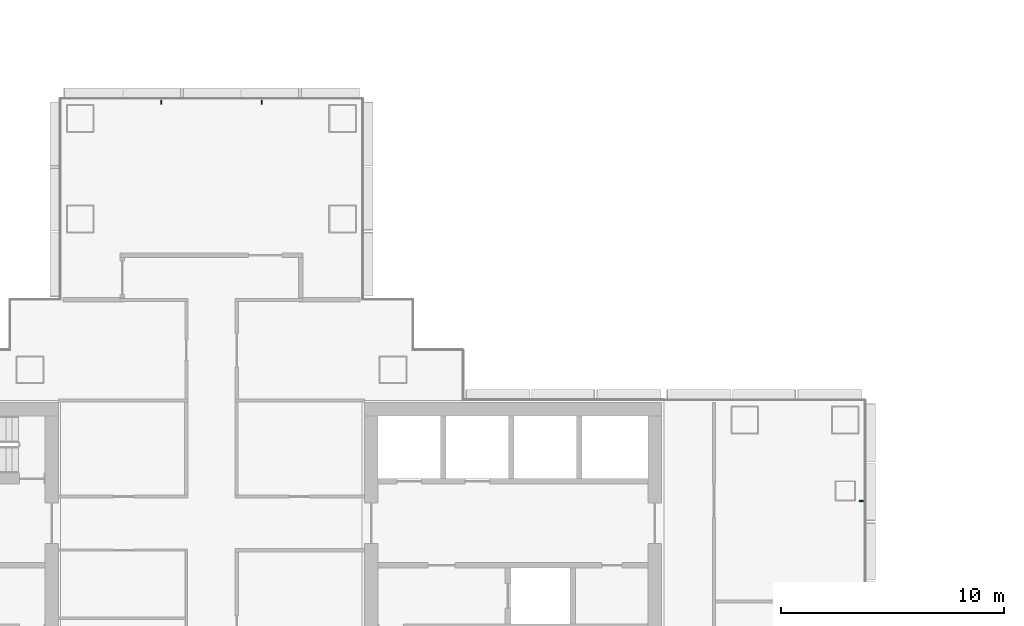
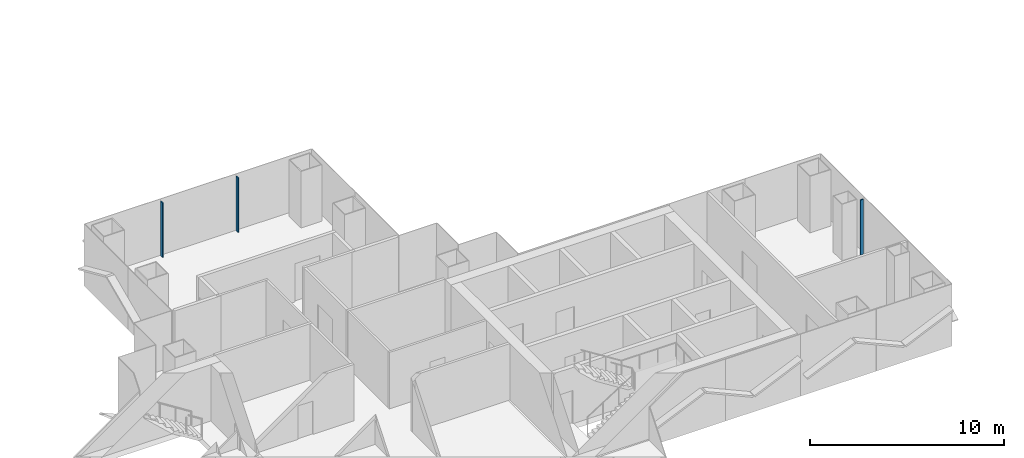
# One storey, part 4 of 19: 3 members, 2 elements without a shape of their own.
"""IFC4 building model written with IfcOpenShell, lengths in metres."""

import ifcopenshell
import ifcopenshell.guid

model = None  # the IFC model being written
_history = None  # IfcOwnerHistory: only IFC2X3 demands one
_inside = {}  # id of a spatial element -> (the spatial element, [elements in it])
_under = {}  # id of a project, library or spatial element -> (it, [spatial elements below it])
_declared = {}  # id of a project -> (the project, [libraries it declares])
_typed = {}  # id of a type object -> (the type object, [elements of that type])
_made_of = {}  # id of a material, layer set ... -> (it, [elements and type objects made of it])


def new_model(schema):
    """Start an empty IFC model of exactly this schema.

    Asked for "IFC4X3", IfcOpenShell would pick the latest addendum, in which some entities
    have other attributes; the version numbers below select the first issue.
    IFC2X3 requires an IfcOwnerHistory on every rooted entity: one is made here for all.
    """
    global model, _history
    if schema == "IFC4X3":
        model = ifcopenshell.file(schema_version=(4, 3, 0, 0))
    else:
        model = ifcopenshell.file(schema=schema)
    _inside.clear()
    _under.clear()
    _declared.clear()
    _typed.clear()
    _made_of.clear()
    _history = None
    if model.schema == "IFC2X3":
        org = make("IfcOrganization", Name="unknown")
        user = make(
            "IfcPersonAndOrganization",
            ThePerson=make("IfcPerson", FamilyName="unknown"),
            TheOrganization=org,
        )
        app = make(
            "IfcApplication",
            ApplicationDeveloper=org,
            Version="unknown",
            ApplicationFullName="unknown",
            ApplicationIdentifier="unknown",
        )
        _history = make(
            "IfcOwnerHistory",
            OwningUser=user,
            OwningApplication=app,
            ChangeAction="ADDED",
            CreationDate=0,
        )
    return model


def make(cls, **values):
    """One entity of the class cls with the attributes given. An attribute that is None is left unset."""
    return model.create_entity(
        cls, **{name: value for name, value in values.items() if value is not None}
    )


def rooted(cls, **values):
    """An entity with a GlobalId (a new one), such as an element, a storey or a relation."""
    return make(cls, GlobalId=ifcopenshell.guid.new(), OwnerHistory=_history, **values)


def si_unit(unit_type, name, prefix=None):
    """IfcSIUnit, for example si_unit("LENGTHUNIT", "METRE", prefix="MILLI")."""
    return make("IfcSIUnit", UnitType=unit_type, Prefix=prefix, Name=name)


def assignment(units):
    """IfcUnitAssignment: the units of a project."""
    return None if units is None else make("IfcUnitAssignment", Units=units)


def point(xyz):
    """IfcCartesianPoint."""
    return None if xyz is None else make("IfcCartesianPoint", Coordinates=xyz)


def direction(xyz):
    """IfcDirection."""
    return None if xyz is None else make("IfcDirection", DirectionRatios=xyz)


def frame(location, z_axis=None, x_axis=None):
    """IfcAxis2Placement3D, a coordinate frame: its origin and axes. An axis left out is left unset."""
    return make(
        "IfcAxis2Placement3D",
        Location=point(location),
        Axis=direction(z_axis),
        RefDirection=direction(x_axis),
    )


def frame_2d(location, x_axis=None):
    """IfcAxis2Placement2D, a coordinate frame in the plane: its origin and x axis."""
    return make(
        "IfcAxis2Placement2D", Location=point(location), RefDirection=direction(x_axis)
    )


def origin():
    """The frame at (0, 0, 0) with its axes left unset."""
    return frame((0.0, 0.0, 0.0))


def origin_2d():
    """The frame at (0, 0) in the plane with its x axis left unset."""
    return frame_2d((0.0, 0.0))


def place(relative_to, where):
    """IfcLocalPlacement: puts the frame where relative to a parent placement (None: the world)."""
    return make(
        "IfcLocalPlacement", PlacementRelTo=relative_to, RelativePlacement=where
    )


def context(
    kind, dimensions, precision=None, world=None, true_north=None, identifier=None
):
    """IfcGeometricRepresentationContext, for example the 3D "Model" context."""
    return make(
        "IfcGeometricRepresentationContext",
        ContextIdentifier=identifier,
        ContextType=kind,
        CoordinateSpaceDimension=dimensions,
        Precision=precision,
        WorldCoordinateSystem=world,
        TrueNorth=true_north,
    )


def subcontext(parent, identifier, kind, view, scale=None):
    """IfcGeometricRepresentationSubContext, for example "Body" below "Model"."""
    return make(
        "IfcGeometricRepresentationSubContext",
        ContextIdentifier=identifier,
        ContextType=kind,
        ParentContext=parent,
        TargetScale=scale,
        TargetView=view,
    )


def project(units=None, contexts=None):
    """IfcProject with its units and contexts."""
    return rooted(
        "IfcProject",
        Name="project",
        RepresentationContexts=contexts,
        UnitsInContext=assignment(units),
    )


def spatial(cls, under=None, at=None, **own):
    """A site, building, storey or space (cls), placed at a placement, below another one or the project."""
    s = rooted(cls, ObjectPlacement=at, **own)
    if under is not None:
        _under.setdefault(under.id(), (under, []))[1].append(s)
    return s


def profile(cls, at=None, kind="AREA", **sizes):
    """A parametric profile (cls). Its sizes go by their IFC names, for example OverallWidth=200.0."""
    return make(cls, ProfileType=kind, Position=at, **sizes)


def rectangle(**sizes):
    """IfcRectangleProfileDef."""
    return profile("IfcRectangleProfileDef", **sizes)


def extrude(swept, where, along, depth):
    """IfcExtrudedAreaSolid: the profile swept, set in the frame where, extruded along a direction by depth."""
    return make(
        "IfcExtrudedAreaSolid",
        SweptArea=swept,
        Position=where,
        ExtrudedDirection=direction(along),
        Depth=depth,
    )


def shape(context_of_items, identifier, shape_type, items):
    """IfcShapeRepresentation: the items that make up one representation, for example the "Body"."""
    return make(
        "IfcShapeRepresentation",
        ContextOfItems=context_of_items,
        RepresentationIdentifier=identifier,
        RepresentationType=shape_type,
        Items=items,
    )


def material(Name=None, Category=None):
    """IfcMaterial."""
    return make("IfcMaterial", Name=Name, Category=Category)


def layer(
    of_material, thickness, ventilated=None, Name=None, Category=None, Priority=None
):
    """IfcMaterialLayer: one layer of a wall or slab, of a material (None: an air gap)."""
    return make(
        "IfcMaterialLayer",
        Material=of_material,
        LayerThickness=thickness,
        IsVentilated=ventilated,
        Name=Name,
        Category=Category,
        Priority=Priority,
    )


def layer_set(layers, Name=None):
    """IfcMaterialLayerSet."""
    return make("IfcMaterialLayerSet", MaterialLayers=layers, LayerSetName=Name)


def material_profile(
    of_material, cross_section, Name=None, Category=None, Priority=None
):
    """IfcMaterialProfile: a cross section and its material."""
    return make(
        "IfcMaterialProfile",
        Name=Name,
        Material=of_material,
        Profile=cross_section,
        Priority=Priority,
        Category=Category,
    )


def profile_set(profiles, Name=None, composite=None):
    """IfcMaterialProfileSet."""
    return make(
        "IfcMaterialProfileSet",
        Name=Name,
        MaterialProfiles=profiles,
        CompositeProfile=composite,
    )


def made_of(thing, what):
    """Note that an element or type object is made of a material, layer set ...; save() writes the relation."""
    if what is not None:
        _made_of.setdefault(what.id(), (what, []))[1].append(thing)
    return thing


def type_object(cls, material=None, **own):
    """A type object (cls), such as IfcWallType, which elements share."""
    return made_of(rooted(cls, **own), material)


def element(
    cls,
    number,
    at=None,
    inside=None,
    cuts=None,
    type_object=None,
    material=None,
    context=None,
    identifier="Body",
    shape_type=None,
    held_by="IfcProductDefinitionShape",
    body=None,
    shapes=None,
    **own,
):
    """One element of the class cls, such as IfcWall. Its Tag is "e" and its number.

    at: its placement. inside: the storey or other place that contains it. cuts: it is an
    opening in that element (IfcRelVoidsElement). A single representation is given by context,
    identifier, shape_type and body (its items); several are given by shapes. held_by: the class
    of the entity that holds the representations. save() writes the other relations.
    """
    e = rooted(cls, Tag="e%d" % number, ObjectPlacement=at, **own)
    if body is not None:
        shapes = [shape(context, identifier, shape_type, body)]
    if shapes is not None:
        e.Representation = make(held_by, Representations=shapes)
    if inside is not None:
        _inside.setdefault(inside.id(), (inside, []))[1].append(e)
    if cuts is not None:
        rooted(
            "IfcRelVoidsElement", RelatingBuildingElement=cuts, RelatedOpeningElement=e
        )
    if type_object is not None:
        _typed.setdefault(type_object.id(), (type_object, []))[1].append(e)
    return made_of(e, material)


def aggregate(whole, parts):
    """IfcRelAggregates: a whole, such as a stair, and the parts it consists of."""
    return rooted("IfcRelAggregates", RelatingObject=whole, RelatedObjects=parts)


def save(model, path):
    """Write the relations noted so far, then the file.

    IfcRelAggregates (storeys below a building ...), IfcRelContainedInSpatialStructure (elements
    in a storey), IfcRelDefinesByType, IfcRelAssociatesMaterial and IfcRelDeclares: one each for
    every whole, place, type object, material and project.
    """
    for whole, parts in _under.values():
        aggregate(whole, parts)
    for where, things in _inside.values():
        rooted(
            "IfcRelContainedInSpatialStructure",
            RelatedElements=things,
            RelatingStructure=where,
        )
    for kind, things in _typed.values():
        rooted("IfcRelDefinesByType", RelatedObjects=things, RelatingType=kind)
    for what, things in _made_of.values():
        rooted("IfcRelAssociatesMaterial", RelatedObjects=things, RelatingMaterial=what)
    for by, libraries in _declared.values():
        rooted("IfcRelDeclares", RelatingContext=by, RelatedDefinitions=libraries)
    model.write(path)


model = new_model("IFC4")

# Units and contexts
model_context = context("Model", 3, precision=1e-05, world=origin(), true_north=direction((0.0, 1.0)))
body_context = subcontext(model_context, "Body", "Model", "MODEL_VIEW")
ifc_project = project(units=[si_unit("LENGTHUNIT", "METRE"), si_unit("AREAUNIT", "SQUARE_METRE"), si_unit("VOLUMEUNIT", "CUBIC_METRE"), si_unit("PLANEANGLEUNIT", "RADIAN"), si_unit("MASSUNIT", "GRAM", prefix="KILO")], contexts=[model_context])

# Site, building, storey
site_placement = place(None, origin())
site = spatial("IfcSite", under=ifc_project, at=site_placement, CompositionType="ELEMENT")
building_placement = place(site_placement, origin())
building = spatial("IfcBuilding", under=site, at=building_placement, Name="Shamsa Quay Exchange Towers", CompositionType="ELEMENT")
storey_placement = place(building_placement, frame((0.0, 0.0, 89.699951171875)))
storey = spatial("IfcBuildingStorey", under=building, at=storey_placement, Name="L20", CompositionType="ELEMENT", Elevation=89.699951171875)

# Curtain wall, member
ifc_material = material(Name="Aluminium EN AW-6063 T6, black anodised", Category="aluminium")
ifc_layer = layer(ifc_material, 0.280029296875)
ifc_layer_set = layer_set([ifc_layer], Name="CW-1 UNITISED VISION GLASS")
curtain_wall_type = type_object("IfcCurtainWallType", Name="CW-1 UNITISED VISION GLASS", PredefinedType="NOTDEFINED", material=ifc_layer_set)
curtain_wall_1_placement = place(storey_placement, origin())
curtain_wall_1 = element("IfcCurtainWall", 1, at=curtain_wall_1_placement, inside=storey, type_object=curtain_wall_type, Name="CW1 T1-END-U+ L20", PredefinedType="NOTDEFINED")
ifc_material_profile = material_profile(ifc_material, rectangle(XDim=0.179931640625, YDim=0.06005859375, at=origin_2d()), Name="MU60x180")
ifc_profile_set = profile_set([ifc_material_profile], Name="Aluminium EN AW-6063 T6, black anodised")
member_type = type_object("IfcMemberType", Name="CW1 MULLION 60x180", PredefinedType="MULLION", material=ifc_profile_set)
member_1_placement = place(storey_placement, frame((-4.64990234375, 2.25, 0.0), z_axis=(0.0, 0.0, 1.0), x_axis=(-1.0, 0.0, 0.0)))
member_1 = element("IfcMember", 2, at=member_1_placement, type_object=member_type, Name="CW1 mullion", PredefinedType="MULLION", context=body_context, shape_type="SweptSolid", body=[
    extrude(rectangle(XDim=0.179931640625, YDim=0.06005859375, at=origin_2d()), origin(), (0.0, 0.0, 1.0), 3.449951171875),
])
aggregate(curtain_wall_1, [member_1])

# Curtain wall, members
curtain_wall_2_placement = place(storey_placement, origin())
curtain_wall_2 = element("IfcCurtainWall", 3, at=curtain_wall_2_placement, inside=storey, type_object=curtain_wall_type, Name="CW1 T1-END-V+ L20", PredefinedType="NOTDEFINED")
member_2_placement = place(storey_placement, frame((-31.5, 20.10009765625, 0.0), z_axis=(0.0, 0.0, 1.0), x_axis=(0.0, -1.0, 0.0)))
member_2 = element("IfcMember", 4, at=member_2_placement, type_object=member_type, Name="CW1 mullion", PredefinedType="MULLION", context=body_context, shape_type="SweptSolid", body=[
    extrude(rectangle(XDim=0.179931640625, YDim=0.06005859375, at=origin_2d()), origin(), (0.0, 0.0, 1.0), 3.449951171875),
])
member_3_placement = place(storey_placement, frame((-36.0, 20.10009765625, 0.0), z_axis=(0.0, 0.0, 1.0), x_axis=(0.0, -1.0, 0.0)))
member_3 = element("IfcMember", 5, at=member_3_placement, type_object=member_type, Name="CW1 mullion", PredefinedType="MULLION", context=body_context, shape_type="SweptSolid", body=[
    extrude(rectangle(XDim=0.179931640625, YDim=0.06005859375, at=origin_2d()), origin(), (0.0, 0.0, 1.0), 3.449951171875),
])
aggregate(curtain_wall_2, [member_2, member_3])

save(model, "model.ifc")
